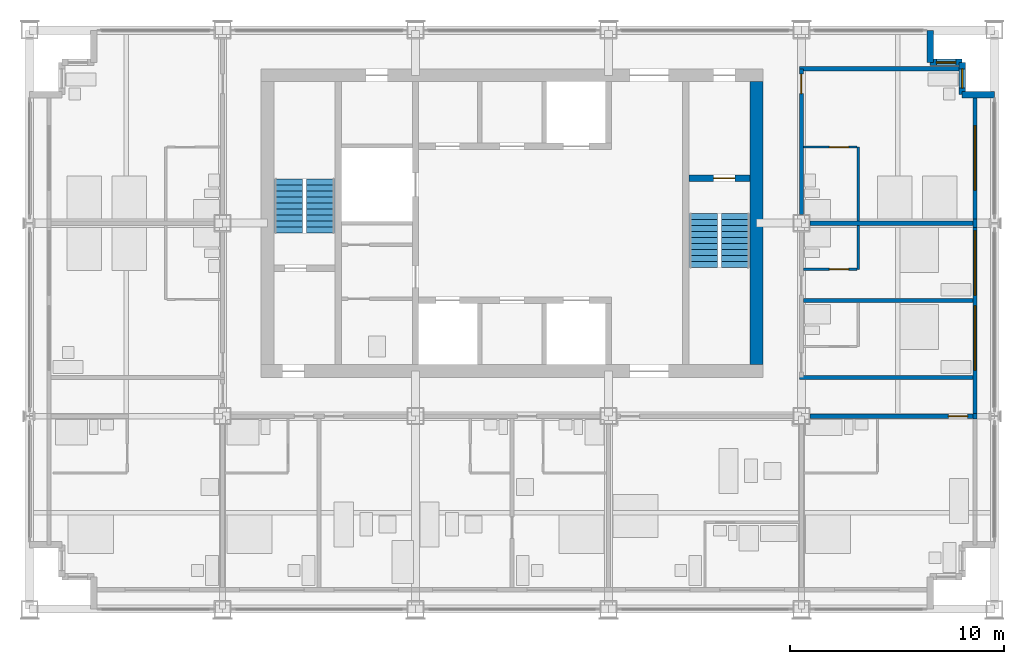
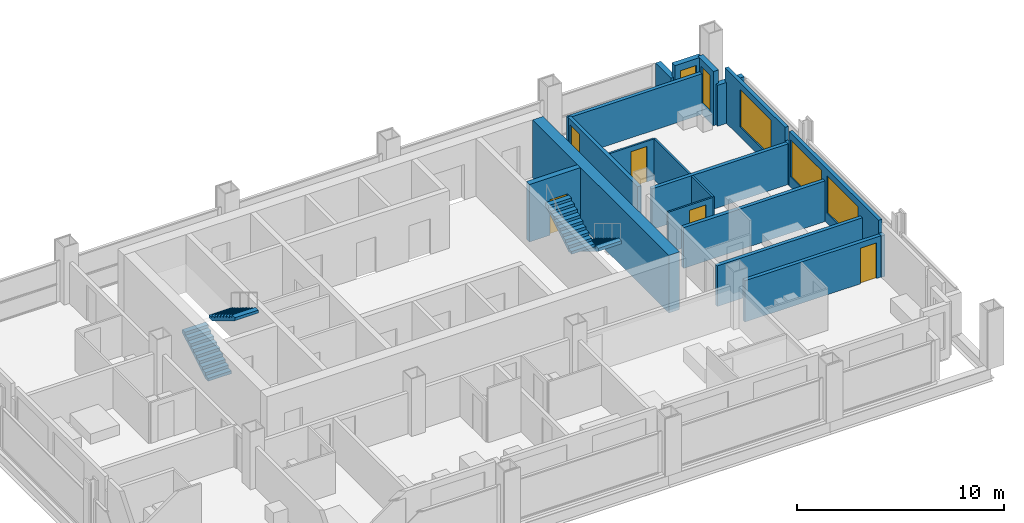
# One storey, part 10 of 13: 20 walls, 5 doors, 5 windows, 4 stair flights, 10 openings, 2 elements without a shape of their own.
"""IFC4 building model written with IfcOpenShell, lengths in metres."""

from ifc_helpers import new_model, si_unit, direction, frame, frame_2d, origin, place, context, subcontext, project, spatial, polyline, rectangle, outline, extrude, material, layer, layer_set, type_object, element, fill, aggregate, save


model = new_model("IFC4")

# Units and contexts
model_context = context("Model", 3, precision=1e-05, world=origin(), true_north=direction((0.0, 1.0)))
body_context = subcontext(model_context, "Body", "Model", "MODEL_VIEW")
ifc_project = project(units=[si_unit("LENGTHUNIT", "METRE"), si_unit("AREAUNIT", "SQUARE_METRE"), si_unit("VOLUMEUNIT", "CUBIC_METRE"), si_unit("PLANEANGLEUNIT", "RADIAN"), si_unit("MASSUNIT", "GRAM", prefix="KILO")], contexts=[model_context])

# Site, building, storey
site_placement = place(None, origin())
site = spatial("IfcSite", under=ifc_project, at=site_placement, CompositionType="ELEMENT")
building_placement = place(site_placement, origin())
building = spatial("IfcBuilding", under=site, at=building_placement, Name="Loomwork Tower", CompositionType="ELEMENT")
storey_placement = place(building_placement, frame((0.0, 0.0, 197.800048828125)))
storey = spatial("IfcBuildingStorey", under=building, at=storey_placement, Name="L54", CompositionType="ELEMENT", Elevation=197.800048828125)

# Wall, opening, door
ifc_material_1 = material(Name="Concrete 14000 psi (97 MPa)", Category="concrete")
ifc_layer_1 = layer(ifc_material_1, 0.300048828125)
ifc_layer_set_1 = layer_set([ifc_layer_1], Name="Core shear wall 300")
wall_type_1 = type_object("IfcWallType", Name="Core shear wall 300", PredefinedType="SHEAR", material=ifc_layer_set_1)
wall_1_placement = place(storey_placement, frame((30.75, 20.10009765625, 0.0), z_axis=(0.0, 0.0, 1.0), x_axis=(1.0, 0.0, 0.0)))
wall_1 = element("IfcWall", 1, at=wall_1_placement, inside=storey, type_object=wall_type_1, Name="Stair B north wall L54", PredefinedType="SHEAR", context=body_context, shape_type="SweptSolid", body=[
    extrude(rectangle(XDim=2.85009765625, YDim=0.300048828125, at=frame_2d((1.425048828125, 0.0))), origin(), (0.0, 0.0, 1.0), 3.39990234375),
])
opening_1_placement = place(wall_1_placement, frame((1.14990234375, 0.0, 0.0)))
opening_1 = element("IfcOpeningElement", 2, at=opening_1_placement, cuts=wall_1, Name="Opening D4", PredefinedType="OPENING", context=body_context, shape_type="SweptSolid", body=[
    extrude(rectangle(XDim=1.0, YDim=2.10009765625, at=frame_2d((0.5, 1.050048828125))), frame((0.0, 0.159912109375, 0.0), z_axis=(0.0, -1.0, 0.0), x_axis=(1.0, 0.0, 0.0)), (0.0, 0.0, 1.0), 0.320068359375),
])
ifc_material_2 = material(Name="Hollow metal door and frame")
door_type_1 = type_object("IfcDoorType", Name="Stair door 1000", OperationType="SINGLE_SWING_RIGHT", PredefinedType="DOOR", material=ifc_material_2)
door_1_placement = place(opening_1_placement, frame((1.0, 0.0, 0.0), z_axis=(0.0, 0.0, 1.0), x_axis=(-1.0, 0.0, 0.0)))
door_1 = element("IfcDoor", 3, at=door_1_placement, inside=storey, type_object=door_type_1, Name="Stair B door", OperationType="SINGLE_SWING_LEFT", OverallHeight=2.10009765625, OverallWidth=1.0, PredefinedType="DOOR", context=body_context, shape_type="SweptSolid", body=[
    extrude(rectangle(XDim=1.0, YDim=2.10009765625, at=frame_2d((0.5, 1.050048828125))), frame((0.0, 0.02490234375, 0.0), z_axis=(0.0, -1.0, 0.0), x_axis=(1.0, 0.0, 0.0)), (0.0, 0.0, 1.0), 0.050048828125),
])
fill(opening_1, door_1)

# Wall
ifc_material_3 = material(Name="Concrete 14000 psi (97 MPa)", Category="concrete")
ifc_layer_2 = layer(ifc_material_3, 0.60009765625)
ifc_layer_set_2 = layer_set([ifc_layer_2], Name="Core shear wall 600")
wall_type_2 = type_object("IfcWallType", Name="Core shear wall 600", PredefinedType="SHEAR", material=ifc_layer_set_2)
wall_2_placement = place(storey_placement, frame((33.89990234375, 11.39990234375, 0.0), z_axis=(0.0, 0.0, 1.0), x_axis=(0.0, 1.0, 0.0)))
element("IfcWall", 4, at=wall_2_placement, inside=storey, type_object=wall_type_2, Name="Core wall east L54", PredefinedType="SHEAR", context=body_context, shape_type="SweptSolid", body=[
    extrude(rectangle(XDim=13.2001953125, YDim=0.60009765625, at=frame_2d((6.60009765625, 0.0))), origin(), (0.0, 0.0, 1.0), 3.39990234375),
])

# Wall, opening, door
ifc_material_4 = material(Name="Gypsum board on steel studs, one-hour", Category="steel")
ifc_layer_3 = layer(ifc_material_4, 0.199951171875)
ifc_layer_set_3 = layer_set([ifc_layer_3], Name="Corridor wall 200")
wall_type_3 = type_object("IfcWallType", Name="Corridor wall 200", PredefinedType="PARTITIONING", material=ifc_layer_set_3)
wall_3_placement = place(storey_placement, frame((36.39990234375, 9.0, 0.0), z_axis=(0.0, 0.0, 1.0), x_axis=(1.0, 0.0, 0.0)))
wall_3 = element("IfcWall", 5, at=wall_3_placement, inside=storey, type_object=wall_type_3, Name="South corridor wall 5", PredefinedType="PARTITIONING", context=body_context, shape_type="SweptSolid", body=[
    extrude(rectangle(XDim=7.60009765625, YDim=0.199951171875, at=frame_2d((3.800048828125, 0.0))), origin(), (0.0, 0.0, 1.0), 2.43798828125),
])
opening_2_placement = place(wall_3_placement, frame((6.449951171875, 0.0, 0.0)))
opening_2 = element("IfcOpeningElement", 6, at=opening_2_placement, cuts=wall_3, Name="Opening D1", PredefinedType="OPENING", context=body_context, shape_type="SweptSolid", body=[
    extrude(rectangle(XDim=0.89990234375, YDim=2.10009765625, at=frame_2d((0.449951171875, 1.050048828125))), frame((0.0, 0.10986328125, 0.0), z_axis=(0.0, -1.0, 0.0), x_axis=(1.0, 0.0, 0.0)), (0.0, 0.0, 1.0), 0.219970703125),
])
ifc_material_5 = material(Name="Hollow metal door and frame")
door_type_2 = type_object("IfcDoorType", Name="Guest room entry door 900", OperationType="SINGLE_SWING_LEFT", PredefinedType="DOOR", material=ifc_material_5)
door_2_placement = place(opening_2_placement, frame((0.89990234375, 0.0, 0.0), z_axis=(0.0, 0.0, 1.0), x_axis=(-1.0, 0.0, 0.0)))
door_2 = element("IfcDoor", 7, at=door_2_placement, inside=storey, type_object=door_type_2, Name="Guest room entry door L54 6", OperationType="SINGLE_SWING_LEFT", OverallHeight=2.10009765625, OverallWidth=0.89990234375, PredefinedType="DOOR", context=body_context, shape_type="SweptSolid", body=[
    extrude(rectangle(XDim=0.89990234375, YDim=2.10009765625, at=frame_2d((0.449951171875, 1.050048828125))), frame((0.0, 0.02490234375, 0.0), z_axis=(0.0, -1.0, 0.0), x_axis=(1.0, 0.0, 0.0)), (0.0, 0.0, 1.0), 0.050048828125),
])
fill(opening_2, door_2)

wall_4_placement = place(storey_placement, frame((36.0, 18.39990234375, 0.0), z_axis=(0.0, 0.0, 1.0), x_axis=(0.0, 1.0, 0.0)))
wall_4 = element("IfcWall", 8, at=wall_4_placement, inside=storey, type_object=wall_type_3, Name="East corridor wall 2", PredefinedType="PARTITIONING", context=body_context, shape_type="SweptSolid", body=[
    extrude(rectangle(XDim=6.800048828125, YDim=0.199951171875, at=frame_2d((3.39990234375, 0.0))), origin(), (0.0, 0.0, 1.0), 2.405029296875),
])
opening_3_placement = place(wall_4_placement, frame((5.64990234375, 0.0, 0.0)))
opening_3 = element("IfcOpeningElement", 9, at=opening_3_placement, cuts=wall_4, Name="Opening D1", PredefinedType="OPENING", context=body_context, shape_type="SweptSolid", body=[
    extrude(rectangle(XDim=0.89990234375, YDim=2.10009765625, at=frame_2d((0.449951171875, 1.050048828125))), frame((0.0, 0.10986328125, 0.0), z_axis=(0.0, -1.0, 0.0), x_axis=(1.0, 0.0, 0.0)), (0.0, 0.0, 1.0), 0.219970703125),
])
door_3_placement = place(opening_3_placement, frame((0.89990234375, 0.0, 0.0), z_axis=(0.0, 0.0, 1.0), x_axis=(-1.0, 0.0, 0.0)))
door_3 = element("IfcDoor", 10, at=door_3_placement, inside=storey, type_object=door_type_2, Name="Guest room entry door L54 11", OperationType="SINGLE_SWING_LEFT", OverallHeight=2.10009765625, OverallWidth=0.89990234375, PredefinedType="DOOR", context=body_context, shape_type="SweptSolid", body=[
    extrude(rectangle(XDim=0.89990234375, YDim=2.10009765625, at=frame_2d((0.449951171875, 1.050048828125))), frame((0.0, 0.02490234375, 0.0), z_axis=(0.0, -1.0, 0.0), x_axis=(1.0, 0.0, 0.0)), (0.0, 0.0, 1.0), 0.050048828125),
])
fill(opening_3, door_3)

# Walls
wall_5_placement = place(storey_placement, frame((35.89990234375, 10.800048828125, 0.0), z_axis=(0.0, 0.0, 1.0), x_axis=(1.0, 0.0, 0.0)))
element("IfcWall", 11, at=wall_5_placement, inside=storey, type_object=wall_type_3, Name="East band end wall S", PredefinedType="PARTITIONING", context=body_context, shape_type="SweptSolid", body=[
    extrude(rectangle(XDim=8.10009765625, YDim=0.199951171875, at=frame_2d((4.050048828125, 0.0))), origin(), (0.0, 0.0, 1.0), 2.404052734375),
])
wall_6_placement = place(storey_placement, frame((35.89990234375, 25.199951171875, 0.0), z_axis=(0.0, 0.0, 1.0), x_axis=(1.0, 0.0, 0.0)))
element("IfcWall", 12, at=wall_6_placement, inside=storey, type_object=wall_type_3, Name="East band end wall N", PredefinedType="PARTITIONING", context=body_context, shape_type="SweptSolid", body=[
    extrude(rectangle(XDim=7.4501953125, YDim=0.199951171875, at=frame_2d((3.72509765625, 0.0))), origin(), (0.0, 0.0, 1.0), 2.404052734375),
])
ifc_material_6 = material(Name="Cement board on steel studs", Category="steel")
ifc_layer_4 = layer(ifc_material_6, 0.10009765625)
ifc_layer_set_4 = layer_set([ifc_layer_4], Name="En-suite partition 100")
wall_type_4 = type_object("IfcWallType", Name="En-suite partition 100", PredefinedType="PARTITIONING", material=ifc_layer_set_4)
wall_7_placement = place(storey_placement, frame((38.64990234375, 15.85009765625, 0.0), z_axis=(0.0, 0.0, 1.0), x_axis=(0.0, 1.0, 0.0)))
element("IfcWall", 13, at=wall_7_placement, inside=storey, type_object=wall_type_4, Name="En-suite wall L54 room 10", PredefinedType="PARTITIONING", context=body_context, shape_type="SweptSolid", body=[
    extrude(rectangle(XDim=2.0498046875, YDim=0.10009765625, at=frame_2d((1.02490234375, 0.0))), origin(), (0.0, 0.0, 1.0), 2.404052734375),
])

# Wall, opening, door
wall_8_placement = place(storey_placement, frame((36.10009765625, 15.85009765625, 0.0), z_axis=(0.0, 0.0, 1.0), x_axis=(1.0, 0.0, 0.0)))
wall_8 = element("IfcWall", 14, at=wall_8_placement, inside=storey, type_object=wall_type_4, Name="En-suite side wall L54 room 10", PredefinedType="PARTITIONING", context=body_context, shape_type="SweptSolid", body=[
    extrude(rectangle(XDim=2.5, YDim=0.10009765625, at=frame_2d((1.25, 0.0))), origin(), (0.0, 0.0, 1.0), 2.404052734375),
])
opening_4_placement = place(wall_8_placement, frame((1.199951171875, 0.0, 0.0)))
opening_4 = element("IfcOpeningElement", 15, at=opening_4_placement, cuts=wall_8, Name="Opening D2", PredefinedType="OPENING", context=body_context, shape_type="SweptSolid", body=[
    extrude(rectangle(XDim=0.89990234375, YDim=2.10009765625, at=frame_2d((0.449951171875, 1.050048828125))), frame((0.0, 0.06005859375, 0.0), z_axis=(0.0, -1.0, 0.0), x_axis=(1.0, 0.0, 0.0)), (0.0, 0.0, 1.0), 0.1201171875),
])
ifc_material_7 = material(Name="Hollow metal door and frame")
door_type_3 = type_object("IfcDoorType", Name="En-suite door 900", OperationType="SINGLE_SWING_LEFT", PredefinedType="DOOR", material=ifc_material_7)
door_4_placement = place(opening_4_placement, origin())
door_4 = element("IfcDoor", 16, at=door_4_placement, inside=storey, type_object=door_type_3, Name="En-suite door room 10", OperationType="SINGLE_SWING_RIGHT", OverallHeight=2.10009765625, OverallWidth=0.89990234375, PredefinedType="DOOR", context=body_context, shape_type="SweptSolid", body=[
    extrude(rectangle(XDim=0.89990234375, YDim=2.10009765625, at=frame_2d((0.449951171875, 1.050048828125))), frame((0.0, 0.02490234375, 0.0), z_axis=(0.0, -1.0, 0.0), x_axis=(1.0, 0.0, 0.0)), (0.0, 0.0, 1.0), 0.050048828125),
])
fill(opening_4, door_4)

# Wall
wall_9_placement = place(storey_placement, frame((38.64990234375, 18.10009765625, 0.0), z_axis=(0.0, 0.0, 1.0), x_axis=(0.0, 1.0, 0.0)))
element("IfcWall", 17, at=wall_9_placement, inside=storey, type_object=wall_type_4, Name="En-suite wall L54 room 11", PredefinedType="PARTITIONING", context=body_context, shape_type="SweptSolid", body=[
    extrude(rectangle(XDim=3.449951171875, YDim=0.10009765625, at=frame_2d((1.72509765625, 0.0))), origin(), (0.0, 0.0, 1.0), 2.404052734375),
])

# Wall, opening, door
wall_10_placement = place(storey_placement, frame((36.10009765625, 21.550048828125, 0.0), z_axis=(0.0, 0.0, 1.0), x_axis=(1.0, 0.0, 0.0)))
wall_10 = element("IfcWall", 18, at=wall_10_placement, inside=storey, type_object=wall_type_4, Name="En-suite side wall L54 room 11", PredefinedType="PARTITIONING", context=body_context, shape_type="SweptSolid", body=[
    extrude(rectangle(XDim=2.5, YDim=0.10009765625, at=frame_2d((1.25, 0.0))), origin(), (0.0, 0.0, 1.0), 2.404052734375),
])
opening_5_placement = place(wall_10_placement, frame((1.199951171875, 0.0, 0.0)))
opening_5 = element("IfcOpeningElement", 19, at=opening_5_placement, cuts=wall_10, Name="Opening D2", PredefinedType="OPENING", context=body_context, shape_type="SweptSolid", body=[
    extrude(rectangle(XDim=0.89990234375, YDim=2.10009765625, at=frame_2d((0.449951171875, 1.050048828125))), frame((0.0, 0.06005859375, 0.0), z_axis=(0.0, -1.0, 0.0), x_axis=(1.0, 0.0, 0.0)), (0.0, 0.0, 1.0), 0.1201171875),
])
door_5_placement = place(opening_5_placement, frame((0.89990234375, 0.0, 0.0), z_axis=(0.0, 0.0, 1.0), x_axis=(-1.0, 0.0, 0.0)))
door_5 = element("IfcDoor", 20, at=door_5_placement, inside=storey, type_object=door_type_3, Name="En-suite door room 11", OperationType="SINGLE_SWING_LEFT", OverallHeight=2.10009765625, OverallWidth=0.89990234375, PredefinedType="DOOR", context=body_context, shape_type="SweptSolid", body=[
    extrude(rectangle(XDim=0.89990234375, YDim=2.10009765625, at=frame_2d((0.449951171875, 1.050048828125))), frame((0.0, 0.02490234375, 0.0), z_axis=(0.0, -1.0, 0.0), x_axis=(1.0, 0.0, 0.0)), (0.0, 0.0, 1.0), 0.050048828125),
])
fill(opening_5, door_5)

# Walls
ifc_material_8 = material(Name="Gypsum board on steel studs, acoustic", Category="steel")
ifc_layer_5 = layer(ifc_material_8, 0.199951171875)
ifc_layer_set_5 = layer_set([ifc_layer_5], Name="Guest room party wall 200")
wall_type_5 = type_object("IfcWallType", Name="Guest room party wall 200", PredefinedType="PARTITIONING", material=ifc_layer_set_5)
wall_11_placement = place(storey_placement, frame((36.10009765625, 14.39990234375, 0.0), z_axis=(0.0, 0.0, 1.0), x_axis=(1.0, 0.0, 0.0)))
element("IfcWall", 21, at=wall_11_placement, inside=storey, type_object=wall_type_5, Name="Guest room party wall E 14.4", PredefinedType="PARTITIONING", context=body_context, shape_type="SweptSolid", body=[
    extrude(rectangle(XDim=7.89990234375, YDim=0.199951171875, at=frame_2d((3.949951171875, 0.0))), origin(), (0.0, 0.0, 1.0), 2.404052734375),
])
wall_12_placement = place(storey_placement, frame((36.39990234375, 18.0, 0.0), z_axis=(0.0, 0.0, 1.0), x_axis=(1.0, 0.0, 0.0)))
element("IfcWall", 22, at=wall_12_placement, inside=storey, type_object=wall_type_5, Name="Guest room party wall E 18", PredefinedType="PARTITIONING", context=body_context, shape_type="SweptSolid", body=[
    extrude(rectangle(XDim=7.60009765625, YDim=0.199951171875, at=frame_2d((3.800048828125, 0.0))), origin(), (0.0, 0.0, 1.0), 2.405029296875),
])
ifc_material_9 = material(Name="Insulated steel stud wall with gypsum lining", Category="steel")
ifc_layer_6 = layer(ifc_material_9, 0.199951171875)
ifc_layer_set_6 = layer_set([ifc_layer_6], Name="Inner skin wall 200")
wall_type_6 = type_object("IfcWallType", Name="Inner skin wall 200", PredefinedType="SOLIDWALL", material=ifc_layer_set_6)
wall_13_placement = place(storey_placement, frame((44.10009765625, 8.86474609375, 0.0), z_axis=(0.0, 0.0, 1.0), x_axis=(0.0, 1.0, 0.0)))
element("IfcWall", 23, at=wall_13_placement, inside=storey, type_object=wall_type_6, Name="Inner skin wall E bay 4", PredefinedType="SOLIDWALL", context=body_context, shape_type="SweptSolid", body=[
    extrude(rectangle(XDim=0.2705078125, YDim=0.199951171875, at=frame_2d((0.13525390625, 0.0))), origin(), (0.0, 0.0, 1.0), 2.43798828125),
])

# Wall, openings, windows
wall_14_placement = place(storey_placement, frame((44.10009765625, 9.13525390625, 0.0), z_axis=(0.0, 0.0, 1.0), x_axis=(0.0, 1.0, 0.0)))
wall_14 = element("IfcWall", 24, at=wall_14_placement, inside=storey, type_object=wall_type_6, Name="Inner skin wall E bay 5", PredefinedType="SOLIDWALL", context=body_context, shape_type="SweptSolid", body=[
    extrude(rectangle(XDim=8.6708984375, YDim=0.199951171875, at=frame_2d((4.33544921875, 0.0))), origin(), (0.0, 0.0, 1.0), 3.199951171875),
])
opening_6_placement = place(wall_14_placement, frame((2.0146484375, 0.0, 0.60009765625)))
opening_6 = element("IfcOpeningElement", 25, at=opening_6_placement, cuts=wall_14, Name="Opening CH1", PredefinedType="OPENING", context=body_context, shape_type="SweptSolid", body=[
    extrude(rectangle(XDim=3.0, YDim=2.199951171875, at=frame_2d((1.5, 1.10009765625))), frame((0.0, 0.10986328125, 0.0), z_axis=(0.0, -1.0, 0.0), x_axis=(1.0, 0.0, 0.0)), (0.0, 0.0, 1.0), 0.219970703125),
])
opening_7_placement = place(wall_14_placement, frame((5.5146484375, 0.0, 0.60009765625)))
opening_7 = element("IfcOpeningElement", 26, at=opening_7_placement, cuts=wall_14, Name="Opening CH1", PredefinedType="OPENING", context=body_context, shape_type="SweptSolid", body=[
    extrude(rectangle(XDim=3.0, YDim=2.199951171875, at=frame_2d((1.5, 1.10009765625))), frame((0.0, 0.10986328125, 0.0), z_axis=(0.0, -1.0, 0.0), x_axis=(1.0, 0.0, 0.0)), (0.0, 0.0, 1.0), 0.219970703125),
])
ifc_material_10 = material(Name="Aluminium frame with clear insulated glass", Category="aluminium")
window_type_1 = type_object("IfcWindowType", Name="Chicago window 3000", PartitioningType="TRIPLE_PANEL_VERTICAL", PredefinedType="WINDOW", material=ifc_material_10)
window_1_placement = place(opening_6_placement, origin())
window_1 = element("IfcWindow", 27, at=window_1_placement, inside=storey, type_object=window_type_1, Name="Chicago window L54 bay 8", OverallHeight=2.199951171875, OverallWidth=3.0, PartitioningType="TRIPLE_PANEL_VERTICAL", PredefinedType="WINDOW", context=body_context, shape_type="SweptSolid", body=[
    extrude(rectangle(XDim=3.0, YDim=2.199951171875, at=frame_2d((1.5, 1.10009765625))), frame((0.0, 0.030029296875, 0.0), z_axis=(0.0, -1.0, 0.0), x_axis=(1.0, 0.0, 0.0)), (0.0, 0.0, 1.0), 0.06005859375),
])
fill(opening_6, window_1)
window_2_placement = place(opening_7_placement, origin())
window_2 = element("IfcWindow", 28, at=window_2_placement, inside=storey, type_object=window_type_1, Name="Chicago window L54 bay 8", OverallHeight=2.199951171875, OverallWidth=3.0, PartitioningType="TRIPLE_PANEL_VERTICAL", PredefinedType="WINDOW", context=body_context, shape_type="SweptSolid", body=[
    extrude(rectangle(XDim=3.0, YDim=2.199951171875, at=frame_2d((1.5, 1.10009765625))), frame((0.0, 0.030029296875, 0.0), z_axis=(0.0, -1.0, 0.0), x_axis=(1.0, 0.0, 0.0)), (0.0, 0.0, 1.0), 0.06005859375),
])
fill(opening_7, window_2)

# Wall
wall_15_placement = place(storey_placement, frame((44.10009765625, 17.80615234375, 0.0), z_axis=(0.0, 0.0, 1.0), x_axis=(0.0, 1.0, 0.0)))
element("IfcWall", 29, at=wall_15_placement, inside=storey, type_object=wall_type_6, Name="Inner skin wall E bay 6", PredefinedType="SOLIDWALL", context=body_context, shape_type="SweptSolid", body=[
    extrude(rectangle(XDim=0.3876953125, YDim=0.199951171875, at=frame_2d((0.19384765625, 0.0))), origin(), (0.0, 0.0, 1.0), 2.404052734375),
])

# Wall, opening, window
wall_16_placement = place(storey_placement, frame((44.10009765625, 18.19384765625, 0.0), z_axis=(0.0, 0.0, 1.0), x_axis=(0.0, 1.0, 0.0)))
wall_16 = element("IfcWall", 30, at=wall_16_placement, inside=storey, type_object=wall_type_6, Name="Inner skin wall E bay 7", PredefinedType="SOLIDWALL", context=body_context, shape_type="SweptSolid", body=[
    extrude(rectangle(XDim=5.80615234375, YDim=0.199951171875, at=frame_2d((2.903076171875, 0.0))), origin(), (0.0, 0.0, 1.0), 3.199951171875),
])
opening_8_placement = place(wall_16_placement, frame((1.356201171875, 0.0, 0.60009765625)))
opening_8 = element("IfcOpeningElement", 31, at=opening_8_placement, cuts=wall_16, Name="Opening CH1", PredefinedType="OPENING", context=body_context, shape_type="SweptSolid", body=[
    extrude(rectangle(XDim=3.0, YDim=2.199951171875, at=frame_2d((1.5, 1.10009765625))), frame((0.0, 0.10986328125, 0.0), z_axis=(0.0, -1.0, 0.0), x_axis=(1.0, 0.0, 0.0)), (0.0, 0.0, 1.0), 0.219970703125),
])
window_3_placement = place(opening_8_placement, origin())
window_3 = element("IfcWindow", 32, at=window_3_placement, inside=storey, type_object=window_type_1, Name="Chicago window L54 bay 9", OverallHeight=2.199951171875, OverallWidth=3.0, PartitioningType="TRIPLE_PANEL_VERTICAL", PredefinedType="WINDOW", context=body_context, shape_type="SweptSolid", body=[
    extrude(rectangle(XDim=3.0, YDim=2.199951171875, at=frame_2d((1.5, 1.10009765625))), frame((0.0, 0.030029296875, 0.0), z_axis=(0.0, -1.0, 0.0), x_axis=(1.0, 0.0, 0.0)), (0.0, 0.0, 1.0), 0.06005859375),
])
fill(opening_8, window_3)

# Wall
ifc_material_11 = material(Name="Limestone on concrete masonry", Category="masonry")
ifc_layer_7 = layer(ifc_material_11, 0.300048828125)
ifc_layer_set_7 = layer_set([ifc_layer_7], Name="Limestone corner wall 300")
wall_type_7 = type_object("IfcWallType", Name="Limestone corner wall 300", PredefinedType="SOLIDWALL", material=ifc_layer_set_7)
wall_17_placement = place(storey_placement, frame((45.0, 24.0, 0.0), z_axis=(0.0, 0.0, 1.0), x_axis=(-1.0, 0.0, 0.0)))
element("IfcWall", 33, at=wall_17_placement, inside=storey, type_object=wall_type_7, Name="Stone corner wall NE 1", PredefinedType="SOLIDWALL", context=body_context, shape_type="SweptSolid", body=[
    extrude(rectangle(XDim=1.5, YDim=0.300048828125, at=frame_2d((0.75, 0.0))), origin(), (0.0, 0.0, 1.0), 2.419921875),
])

# Wall, opening, window
wall_18_placement = place(storey_placement, frame((43.5, 24.0, 0.0), z_axis=(0.0, 0.0, 1.0), x_axis=(0.0, 1.0, 0.0)))
wall_18 = element("IfcWall", 34, at=wall_18_placement, inside=storey, type_object=wall_type_7, Name="Stone corner wall NE 2", PredefinedType="SOLIDWALL", context=body_context, shape_type="SweptSolid", body=[
    extrude(rectangle(XDim=1.5, YDim=0.300048828125, at=frame_2d((0.75, 0.0))), origin(), (0.0, 0.0, 1.0), 3.199951171875),
])
opening_9_placement = place(wall_18_placement, frame((0.300048828125, 0.0, 0.60009765625)))
opening_9 = element("IfcOpeningElement", 35, at=opening_9_placement, cuts=wall_18, Name="Opening CH2", PredefinedType="OPENING", context=body_context, shape_type="SweptSolid", body=[
    extrude(rectangle(XDim=0.89990234375, YDim=2.199951171875, at=frame_2d((0.449951171875, 1.10009765625))), frame((0.0, 0.159912109375, 0.0), z_axis=(0.0, -1.0, 0.0), x_axis=(1.0, 0.0, 0.0)), (0.0, 0.0, 1.0), 0.320068359375),
])
ifc_material_12 = material(Name="Aluminium frame with clear insulated glass", Category="aluminium")
window_type_2 = type_object("IfcWindowType", Name="Corner window 900", PartitioningType="SINGLE_PANEL", PredefinedType="WINDOW", material=ifc_material_12)
window_4_placement = place(opening_9_placement, origin())
window_4 = element("IfcWindow", 36, at=window_4_placement, inside=storey, type_object=window_type_2, Name="Corner window NE", OverallHeight=2.199951171875, OverallWidth=0.89990234375, PartitioningType="SINGLE_PANEL", PredefinedType="WINDOW", context=body_context, shape_type="SweptSolid", body=[
    extrude(rectangle(XDim=0.89990234375, YDim=2.199951171875, at=frame_2d((0.449951171875, 1.10009765625))), frame((0.0, 0.030029296875, 0.0), z_axis=(0.0, -1.0, 0.0), x_axis=(1.0, 0.0, 0.0)), (0.0, 0.0, 1.0), 0.06005859375),
])
fill(opening_9, window_4)

wall_19_placement = place(storey_placement, frame((43.5, 25.5, 0.0), z_axis=(0.0, 0.0, 1.0), x_axis=(-1.0, 0.0, 0.0)))
wall_19 = element("IfcWall", 37, at=wall_19_placement, inside=storey, type_object=wall_type_7, Name="Stone corner wall NE 3", PredefinedType="SOLIDWALL", context=body_context, shape_type="SweptSolid", body=[
    extrude(rectangle(XDim=1.5, YDim=0.300048828125, at=frame_2d((0.75, 0.0))), origin(), (0.0, 0.0, 1.0), 3.199951171875),
])
opening_10_placement = place(wall_19_placement, frame((0.300048828125, 0.0, 0.60009765625)))
opening_10 = element("IfcOpeningElement", 38, at=opening_10_placement, cuts=wall_19, Name="Opening CH2", PredefinedType="OPENING", context=body_context, shape_type="SweptSolid", body=[
    extrude(rectangle(XDim=0.89990234375, YDim=2.199951171875, at=frame_2d((0.449951171875, 1.10009765625))), frame((0.0, 0.159912109375, 0.0), z_axis=(0.0, -1.0, 0.0), x_axis=(1.0, 0.0, 0.0)), (0.0, 0.0, 1.0), 0.320068359375),
])
window_5_placement = place(opening_10_placement, origin())
window_5 = element("IfcWindow", 39, at=window_5_placement, inside=storey, type_object=window_type_2, Name="Corner window NE", OverallHeight=2.199951171875, OverallWidth=0.89990234375, PartitioningType="SINGLE_PANEL", PredefinedType="WINDOW", context=body_context, shape_type="SweptSolid", body=[
    extrude(rectangle(XDim=0.89990234375, YDim=2.199951171875, at=frame_2d((0.449951171875, 1.10009765625))), frame((0.0, 0.030029296875, 0.0), z_axis=(0.0, -1.0, 0.0), x_axis=(1.0, 0.0, 0.0)), (0.0, 0.0, 1.0), 0.06005859375),
])
fill(opening_10, window_5)

# Wall
wall_20_placement = place(storey_placement, frame((42.0, 25.5, 0.0), z_axis=(0.0, 0.0, 1.0), x_axis=(0.0, 1.0, 0.0)))
element("IfcWall", 40, at=wall_20_placement, inside=storey, type_object=wall_type_7, Name="Stone corner wall NE 4", PredefinedType="SOLIDWALL", context=body_context, shape_type="SweptSolid", body=[
    extrude(rectangle(XDim=1.5, YDim=0.300048828125, at=frame_2d((0.75, 0.0))), origin(), (0.0, 0.0, 1.0), 2.419921875),
])

# Stair, stair flights
ifc_material_13 = material(Name="Concrete 5000 psi (34 MPa) precast stair", Category="concrete")
stair_type_1 = type_object("IfcStairType", Name="Stair ST-A 20 risers 2850 wide", PredefinedType="HALF_TURN_STAIR", material=ifc_material_13)
stair_1_placement = place(storey_placement, origin())
stair_1 = element("IfcStair", 41, at=stair_1_placement, inside=storey, type_object=stair_type_1, Name="Stair A L54", PredefinedType="HALF_TURN_STAIR")
ifc_material_14 = material(Name="Concrete 5000 psi (34 MPa) precast stair", Category="concrete")
stair_flight_type_1 = type_object("IfcStairFlightType", Name="Stair flight ST-A 10 risers 1300 wide", PredefinedType="STRAIGHT", material=ifc_material_14)
stair_flight_1_placement = place(storey_placement, frame((12.074951171875, 17.550048828125, 0.0), z_axis=(0.0, 0.0, 1.0), x_axis=(0.0, 1.0, 0.0)))
stair_flight_1 = element("IfcStairFlight", 42, at=stair_flight_1_placement, type_object=stair_flight_type_1, Name="ST-A flight 1", NumberOfRisers=10, NumberOfTreads=9, PredefinedType="STRAIGHT", RiserHeight=0.17, TreadLength=0.28, context=body_context, shape_type="SweptSolid", body=[
    extrude(outline(polyline([(0.0, 0.0), (0.0, 0.169921875), (0.280029296875, 0.169921875), (0.280029296875, 0.340087890625), (0.56005859375, 0.340087890625), (0.56005859375, 0.510009765625), (0.840087890625, 0.510009765625), (0.840087890625, 0.679931640625), (1.1201171875, 0.679931640625), (1.1201171875, 0.85009765625), (1.39990234375, 0.85009765625), (1.39990234375, 1.02001953125), (1.679931640625, 1.02001953125), (1.679931640625, 1.18994140625), (1.9599609375, 1.18994140625), (1.9599609375, 1.360107421875), (2.239990234375, 1.360107421875), (2.239990234375, 1.530029296875), (2.52001953125, 1.530029296875), (2.52001953125, 1.699951171875), (2.52001953125, 1.354736328125), (0.288818359375, 0.0), (0.0, 0.0)])), frame((0.0, 0.64990234375, 0.0), z_axis=(0.0, -1.0, 0.0), x_axis=(1.0, 0.0, 0.0)), (0.0, 0.0, 1.0), 1.300048828125),
])
stair_flight_2_placement = place(storey_placement, frame((13.574951171875, 20.070068359375, 1.699951171875), z_axis=(0.0, 0.0, 1.0), x_axis=(0.0, -1.0, 0.0)))
stair_flight_2 = element("IfcStairFlight", 43, at=stair_flight_2_placement, type_object=stair_flight_type_1, Name="ST-A flight 2", NumberOfRisers=10, NumberOfTreads=9, PredefinedType="STRAIGHT", RiserHeight=0.17, TreadLength=0.28, context=body_context, shape_type="SweptSolid", body=[
    extrude(outline(polyline([(0.0, 0.0), (0.0, 0.169921875), (0.280029296875, 0.169921875), (0.280029296875, 0.340087890625), (0.56005859375, 0.340087890625), (0.56005859375, 0.510009765625), (0.840087890625, 0.510009765625), (0.840087890625, 0.679931640625), (1.1201171875, 0.679931640625), (1.1201171875, 0.85009765625), (1.39990234375, 0.85009765625), (1.39990234375, 1.02001953125), (1.679931640625, 1.02001953125), (1.679931640625, 1.18994140625), (1.9599609375, 1.18994140625), (1.9599609375, 1.360107421875), (2.239990234375, 1.360107421875), (2.239990234375, 1.530029296875), (2.52001953125, 1.530029296875), (2.52001953125, 1.699951171875), (2.52001953125, 1.354736328125), (0.288818359375, 0.0), (0.0, 0.0)])), frame((0.0, 0.64990234375, 0.0), z_axis=(0.0, -1.0, 0.0), x_axis=(1.0, 0.0, 0.0)), (0.0, 0.0, 1.0), 1.300048828125),
])
aggregate(stair_1, [stair_flight_1, stair_flight_2])

ifc_material_15 = material(Name="Concrete 5000 psi (34 MPa) precast stair", Category="concrete")
stair_type_2 = type_object("IfcStairType", Name="Stair ST-B 20 risers 2850 wide", PredefinedType="HALF_TURN_STAIR", material=ifc_material_15)
stair_2_placement = place(storey_placement, origin())
stair_2 = element("IfcStair", 44, at=stair_2_placement, inside=storey, type_object=stair_type_2, Name="Stair B L54", PredefinedType="HALF_TURN_STAIR")
ifc_material_16 = material(Name="Concrete 5000 psi (34 MPa) precast stair", Category="concrete")
stair_flight_type_2 = type_object("IfcStairFlightType", Name="Stair flight ST-B 10 risers 1300 wide", PredefinedType="STRAIGHT", material=ifc_material_16)
stair_flight_3_placement = place(storey_placement, frame((32.925048828125, 18.449951171875, 0.0), z_axis=(0.0, 0.0, 1.0), x_axis=(0.0, -1.0, 0.0)))
stair_flight_3 = element("IfcStairFlight", 45, at=stair_flight_3_placement, type_object=stair_flight_type_2, Name="ST-B flight 1", NumberOfRisers=10, NumberOfTreads=9, PredefinedType="STRAIGHT", RiserHeight=0.17, TreadLength=0.28, context=body_context, shape_type="SweptSolid", body=[
    extrude(outline(polyline([(0.0, 0.0), (0.0, 0.169921875), (0.280029296875, 0.169921875), (0.280029296875, 0.340087890625), (0.56005859375, 0.340087890625), (0.56005859375, 0.510009765625), (0.840087890625, 0.510009765625), (0.840087890625, 0.679931640625), (1.1201171875, 0.679931640625), (1.1201171875, 0.85009765625), (1.39990234375, 0.85009765625), (1.39990234375, 1.02001953125), (1.679931640625, 1.02001953125), (1.679931640625, 1.18994140625), (1.9599609375, 1.18994140625), (1.9599609375, 1.360107421875), (2.239990234375, 1.360107421875), (2.239990234375, 1.530029296875), (2.52001953125, 1.530029296875), (2.52001953125, 1.699951171875), (2.52001953125, 1.354736328125), (0.288818359375, 0.0), (0.0, 0.0)])), frame((0.0, 0.64990234375, 0.0), z_axis=(0.0, -1.0, 0.0), x_axis=(1.0, 0.0, 0.0)), (0.0, 0.0, 1.0), 1.300048828125),
])
stair_flight_4_placement = place(storey_placement, frame((31.425048828125, 15.929931640625, 1.699951171875), z_axis=(0.0, 0.0, 1.0), x_axis=(0.0, 1.0, 0.0)))
stair_flight_4 = element("IfcStairFlight", 46, at=stair_flight_4_placement, type_object=stair_flight_type_2, Name="ST-B flight 2", NumberOfRisers=10, NumberOfTreads=9, PredefinedType="STRAIGHT", RiserHeight=0.17, TreadLength=0.28, context=body_context, shape_type="SweptSolid", body=[
    extrude(outline(polyline([(0.0, 0.0), (0.0, 0.169921875), (0.280029296875, 0.169921875), (0.280029296875, 0.340087890625), (0.56005859375, 0.340087890625), (0.56005859375, 0.510009765625), (0.840087890625, 0.510009765625), (0.840087890625, 0.679931640625), (1.1201171875, 0.679931640625), (1.1201171875, 0.85009765625), (1.39990234375, 0.85009765625), (1.39990234375, 1.02001953125), (1.679931640625, 1.02001953125), (1.679931640625, 1.18994140625), (1.9599609375, 1.18994140625), (1.9599609375, 1.360107421875), (2.239990234375, 1.360107421875), (2.239990234375, 1.530029296875), (2.52001953125, 1.530029296875), (2.52001953125, 1.699951171875), (2.52001953125, 1.354736328125), (0.288818359375, 0.0), (0.0, 0.0)])), frame((0.0, 0.64990234375, 0.0), z_axis=(0.0, -1.0, 0.0), x_axis=(1.0, 0.0, 0.0)), (0.0, 0.0, 1.0), 1.300048828125),
])
aggregate(stair_2, [stair_flight_3, stair_flight_4])

save(model, "model.ifc")
